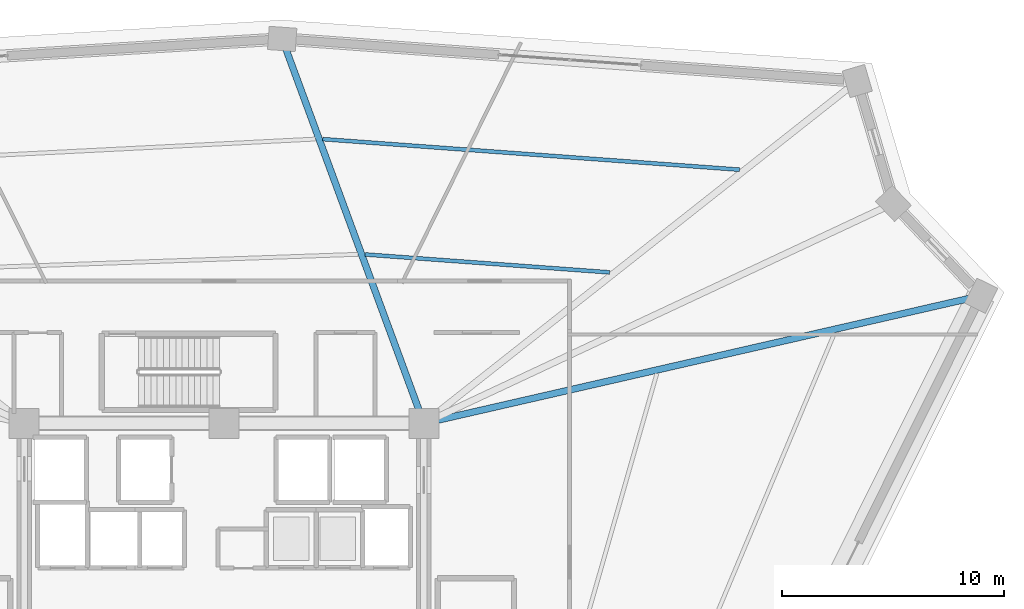
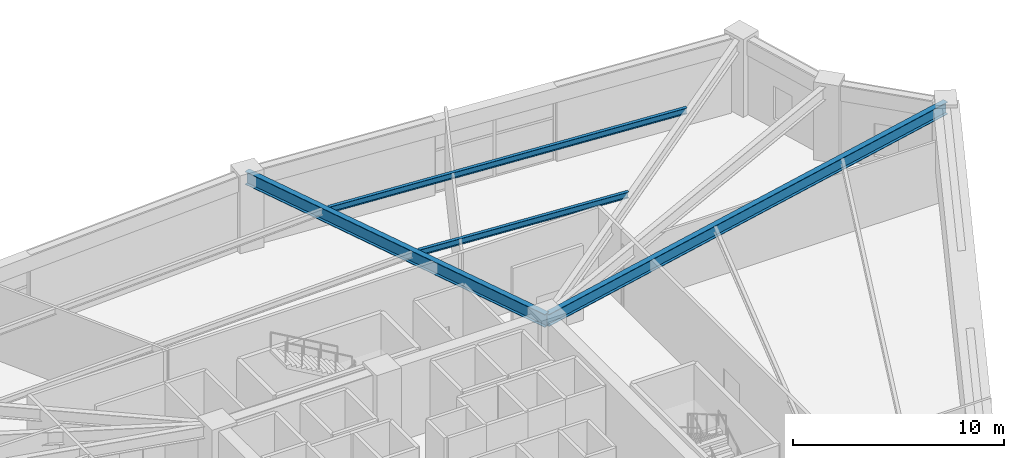
# One storey, part 25 of 39: 4 beams.
"""IFC4 building model written with IfcOpenShell, lengths in metres."""

from ifc_helpers import new_model, si_unit, direction, frame, origin, origin_2d, place, context, subcontext, project, spatial, i_section, extrude, source, transform, mapped, material, material_profile, profile_set, type_object, element, save


model = new_model("IFC4")

# Units and contexts
model_context = context("Model", 3, precision=1e-05, world=origin(), true_north=direction((0.0, 1.0)))
body_context = subcontext(model_context, "Body", "Model", "MODEL_VIEW")
ifc_project = project(units=[si_unit("LENGTHUNIT", "METRE"), si_unit("AREAUNIT", "SQUARE_METRE"), si_unit("VOLUMEUNIT", "CUBIC_METRE"), si_unit("PLANEANGLEUNIT", "RADIAN"), si_unit("MASSUNIT", "GRAM", prefix="KILO")], contexts=[model_context])

# Site, building, storey
site_placement = place(None, origin())
site = spatial("IfcSite", under=ifc_project, at=site_placement, CompositionType="ELEMENT")
building_placement = place(site_placement, origin())
building = spatial("IfcBuilding", under=site, at=building_placement, Name="Liaohun Quay Tower", CompositionType="ELEMENT")
storey_placement = place(building_placement, frame((0.0, 0.0, 189.75)))
storey = spatial("IfcBuildingStorey", under=building, at=storey_placement, Name="L49", CompositionType="ELEMENT", Elevation=189.75)

# Beams
ifc_material = material(Name="Steel Q355D", Category="steel")
ifc_material_profile_1 = material_profile(ifc_material, i_section(OverallWidth=0.300048828125, OverallDepth=0.75, WebThickness=0.013916015625, FlangeThickness=0.02587890625, at=origin_2d()), Name="HN750x300x14x26")
ifc_profile_set_1 = profile_set([ifc_material_profile_1], Name="Steel Q355D")
beam_type_1 = type_object("IfcBeamType", Name="BM-RAD-M2", PredefinedType="BEAM", material=ifc_profile_set_1)
shared_shape_1 = source(origin(), body_context, "Body", "SweptSolid", [
    extrude(i_section(OverallWidth=0.300048828125, OverallDepth=0.75, WebThickness=0.013916015625, FlangeThickness=0.02587890625, at=origin_2d()), origin(), (0.0, 0.0, 1.0), 18.4501953125),
])
beam_1_placement = place(storey_placement, frame((69.0, 61.5, 3.945068359375), z_axis=(-0.345789980454, 0.938311936094, 0.0), x_axis=(-0.938311936094, -0.345789980454, 0.0)))
element("IfcBeam", 1, at=beam_1_placement, inside=storey, type_object=beam_type_1, Name="L49 Radial Primary Girder CC4-PC06", PredefinedType="BEAM", context=body_context, shape_type="MappedRepresentation", body=[
    mapped(shared_shape_1, transform((0.0, 0.0, 0.0), x_axis=(1.0, 0.0, 0.0), y_axis=(0.0, 1.0, 0.0), z_axis=(0.0, 0.0, 1.0), scale=1.0)),
])
ifc_material_profile_2 = material_profile(ifc_material, i_section(OverallWidth=0.300048828125, OverallDepth=0.699951171875, WebThickness=0.012939453125, FlangeThickness=0.02392578125, at=origin_2d()), Name="HN700x300x13x24")
ifc_profile_set_2 = profile_set([ifc_material_profile_2], Name="Steel Q355D")
beam_type_2 = type_object("IfcBeamType", Name="BM-RAD-U1", PredefinedType="BEAM", material=ifc_profile_set_2)
shared_shape_2 = source(origin(), body_context, "Body", "SweptSolid", [
    extrude(i_section(OverallWidth=0.300048828125, OverallDepth=0.699951171875, WebThickness=0.012939453125, FlangeThickness=0.02392578125, at=origin_2d()), origin(), (0.0, 0.0, 1.0), 25.74755859375),
])
beam_2_placement = place(storey_placement, frame((69.0, 61.5, 3.969970703125), z_axis=(0.974770627557, 0.223208923772, 0.0), x_axis=(-0.223208923772, 0.974770627557, 0.0)))
element("IfcBeam", 2, at=beam_2_placement, inside=storey, type_object=beam_type_2, Name="L49 Radial Primary Girder CC4-PC09", PredefinedType="BEAM", context=body_context, shape_type="MappedRepresentation", body=[
    mapped(shared_shape_2, transform((0.0, 0.0, 0.0), x_axis=(1.0, 0.0, 0.0), y_axis=(0.0, 1.0, 0.0), z_axis=(0.0, 0.0, 1.0), scale=1.0)),
])
ifc_material_profile_3 = material_profile(ifc_material, i_section(OverallWidth=0.175048828125, OverallDepth=0.35009765625, WebThickness=0.007080078125, FlangeThickness=0.010986328125, at=origin_2d()), Name="HN350x175x7x11")
ifc_profile_set_3 = profile_set([ifc_material_profile_3], Name="Steel Q355D")
beam_type_3 = type_object("IfcBeamType", Name="BM-SEC-J3", PredefinedType="JOIST", material=ifc_profile_set_3)
shared_shape_3 = source(origin(), body_context, "Body", "SweptSolid", [
    extrude(i_section(OverallWidth=0.175048828125, OverallDepth=0.35009765625, WebThickness=0.007080078125, FlangeThickness=0.010986328125, at=origin_2d()), origin(), (0.0, 0.0, 1.0), 11.03955078125),
])
beam_3_placement = place(storey_placement, frame((66.35693359375, 69.10498046875, 4.14501953125), z_axis=(0.997325315856, -0.073090453221, 0.0), x_axis=(0.073090453221, 0.997325315856, 0.0)))
element("IfcBeam", 3, at=beam_3_placement, inside=storey, type_object=beam_type_3, Name="L49 Wing Secondary Floor Joist SJ-08", PredefinedType="JOIST", context=body_context, shape_type="MappedRepresentation", body=[
    mapped(shared_shape_3, transform((0.0, 0.0, 0.0), x_axis=(1.0, 0.0, 0.0), y_axis=(0.0, 1.0, 0.0), z_axis=(0.0, 0.0, 1.0), scale=1.0)),
])
shared_shape_4 = source(origin(), body_context, "Body", "SweptSolid", [
    extrude(i_section(OverallWidth=0.175048828125, OverallDepth=0.35009765625, WebThickness=0.007080078125, FlangeThickness=0.010986328125, at=origin_2d()), origin(), (0.0, 0.0, 1.0), 18.830078125),
])
beam_4_placement = place(storey_placement, frame((64.443115234375, 74.299072265625, 4.14501953125), z_axis=(0.997322803117, -0.073124731671, 0.0), x_axis=(0.073124731671, 0.997322803117, 0.0)))
element("IfcBeam", 4, at=beam_4_placement, inside=storey, type_object=beam_type_3, Name="L49 Wing Secondary Floor Joist SJ-09", PredefinedType="JOIST", context=body_context, shape_type="MappedRepresentation", body=[
    mapped(shared_shape_4, transform((0.0, 0.0, 0.0), x_axis=(1.0, 0.0, 0.0), y_axis=(0.0, 1.0, 0.0), z_axis=(0.0, 0.0, 1.0), scale=1.0)),
])

save(model, "model.ifc")
